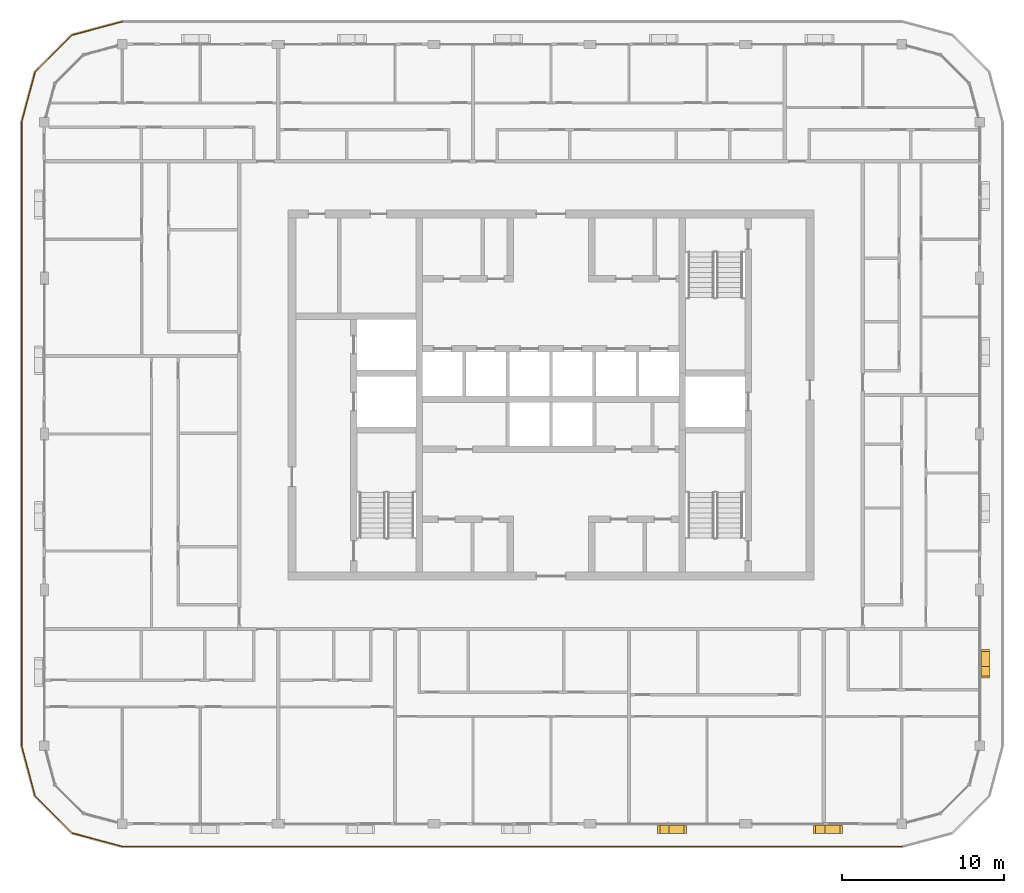
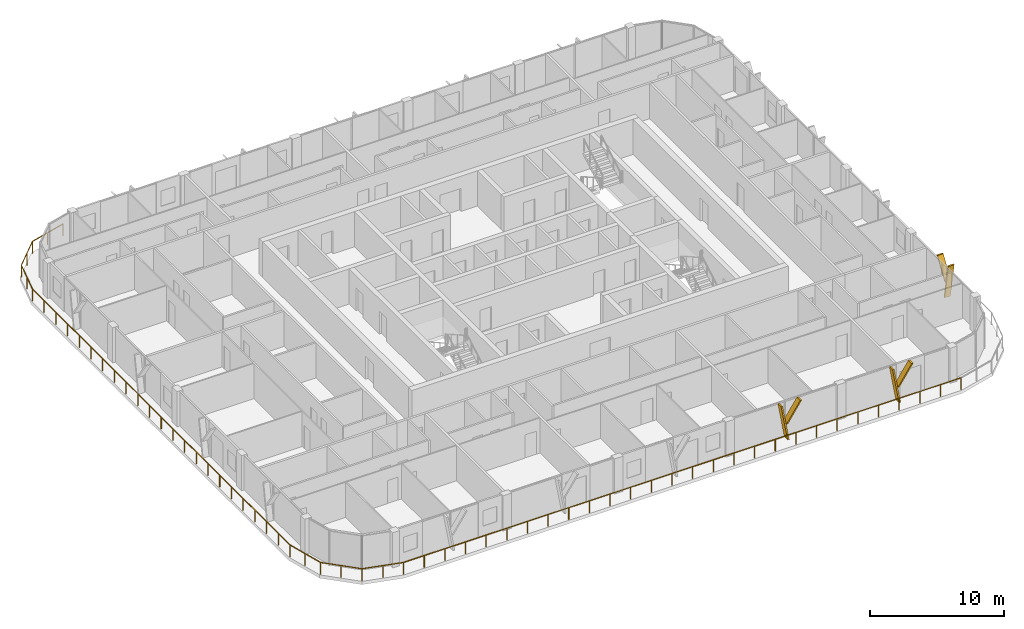
# One storey, part 19 of 22: 6 shading devices, 1 railing.
"""IFC4 building model written with IfcOpenShell, lengths in metres."""

import ifcopenshell
import ifcopenshell.guid

model = None  # the IFC model being written
_history = None  # IfcOwnerHistory: only IFC2X3 demands one
_inside = {}  # id of a spatial element -> (the spatial element, [elements in it])
_under = {}  # id of a project, library or spatial element -> (it, [spatial elements below it])
_declared = {}  # id of a project -> (the project, [libraries it declares])
_typed = {}  # id of a type object -> (the type object, [elements of that type])
_made_of = {}  # id of a material, layer set ... -> (it, [elements and type objects made of it])


def new_model(schema):
    """Start an empty IFC model of exactly this schema.

    Asked for "IFC4X3", IfcOpenShell would pick the latest addendum, in which some entities
    have other attributes; the version numbers below select the first issue.
    IFC2X3 requires an IfcOwnerHistory on every rooted entity: one is made here for all.
    """
    global model, _history
    if schema == "IFC4X3":
        model = ifcopenshell.file(schema_version=(4, 3, 0, 0))
    else:
        model = ifcopenshell.file(schema=schema)
    _inside.clear()
    _under.clear()
    _declared.clear()
    _typed.clear()
    _made_of.clear()
    _history = None
    if model.schema == "IFC2X3":
        org = make("IfcOrganization", Name="unknown")
        user = make(
            "IfcPersonAndOrganization",
            ThePerson=make("IfcPerson", FamilyName="unknown"),
            TheOrganization=org,
        )
        app = make(
            "IfcApplication",
            ApplicationDeveloper=org,
            Version="unknown",
            ApplicationFullName="unknown",
            ApplicationIdentifier="unknown",
        )
        _history = make(
            "IfcOwnerHistory",
            OwningUser=user,
            OwningApplication=app,
            ChangeAction="ADDED",
            CreationDate=0,
        )
    return model


def make(cls, **values):
    """One entity of the class cls with the attributes given. An attribute that is None is left unset."""
    return model.create_entity(
        cls, **{name: value for name, value in values.items() if value is not None}
    )


def rooted(cls, **values):
    """An entity with a GlobalId (a new one), such as an element, a storey or a relation."""
    return make(cls, GlobalId=ifcopenshell.guid.new(), OwnerHistory=_history, **values)


def si_unit(unit_type, name, prefix=None):
    """IfcSIUnit, for example si_unit("LENGTHUNIT", "METRE", prefix="MILLI")."""
    return make("IfcSIUnit", UnitType=unit_type, Prefix=prefix, Name=name)


def assignment(units):
    """IfcUnitAssignment: the units of a project."""
    return None if units is None else make("IfcUnitAssignment", Units=units)


def point(xyz):
    """IfcCartesianPoint."""
    return None if xyz is None else make("IfcCartesianPoint", Coordinates=xyz)


def direction(xyz):
    """IfcDirection."""
    return None if xyz is None else make("IfcDirection", DirectionRatios=xyz)


def frame(location, z_axis=None, x_axis=None):
    """IfcAxis2Placement3D, a coordinate frame: its origin and axes. An axis left out is left unset."""
    return make(
        "IfcAxis2Placement3D",
        Location=point(location),
        Axis=direction(z_axis),
        RefDirection=direction(x_axis),
    )


def frame_2d(location, x_axis=None):
    """IfcAxis2Placement2D, a coordinate frame in the plane: its origin and x axis."""
    return make(
        "IfcAxis2Placement2D", Location=point(location), RefDirection=direction(x_axis)
    )


def origin():
    """The frame at (0, 0, 0) with its axes left unset."""
    return frame((0.0, 0.0, 0.0))


def origin_2d():
    """The frame at (0, 0) in the plane with its x axis left unset."""
    return frame_2d((0.0, 0.0))


def place(relative_to, where):
    """IfcLocalPlacement: puts the frame where relative to a parent placement (None: the world)."""
    return make(
        "IfcLocalPlacement", PlacementRelTo=relative_to, RelativePlacement=where
    )


def context(
    kind, dimensions, precision=None, world=None, true_north=None, identifier=None
):
    """IfcGeometricRepresentationContext, for example the 3D "Model" context."""
    return make(
        "IfcGeometricRepresentationContext",
        ContextIdentifier=identifier,
        ContextType=kind,
        CoordinateSpaceDimension=dimensions,
        Precision=precision,
        WorldCoordinateSystem=world,
        TrueNorth=true_north,
    )


def subcontext(parent, identifier, kind, view, scale=None):
    """IfcGeometricRepresentationSubContext, for example "Body" below "Model"."""
    return make(
        "IfcGeometricRepresentationSubContext",
        ContextIdentifier=identifier,
        ContextType=kind,
        ParentContext=parent,
        TargetScale=scale,
        TargetView=view,
    )


def project(units=None, contexts=None):
    """IfcProject with its units and contexts."""
    return rooted(
        "IfcProject",
        Name="project",
        RepresentationContexts=contexts,
        UnitsInContext=assignment(units),
    )


def spatial(cls, under=None, at=None, **own):
    """A site, building, storey or space (cls), placed at a placement, below another one or the project."""
    s = rooted(cls, ObjectPlacement=at, **own)
    if under is not None:
        _under.setdefault(under.id(), (under, []))[1].append(s)
    return s


def polyline(points):
    """IfcPolyline through the points."""
    return make("IfcPolyline", Points=[point(p) for p in points])


def profile(cls, at=None, kind="AREA", **sizes):
    """A parametric profile (cls). Its sizes go by their IFC names, for example OverallWidth=200.0."""
    return make(cls, ProfileType=kind, Position=at, **sizes)


def circle(**sizes):
    """IfcCircleProfileDef."""
    return profile("IfcCircleProfileDef", **sizes)


def outline(outer, holes=None, kind="AREA"):
    """IfcArbitraryClosedProfileDef: a profile drawn as a closed curve; with holes, ...WithVoids."""
    if holes is None:
        return make("IfcArbitraryClosedProfileDef", ProfileType=kind, OuterCurve=outer)
    return make(
        "IfcArbitraryProfileDefWithVoids",
        ProfileType=kind,
        OuterCurve=outer,
        InnerCurves=holes,
    )


def extrude(swept, where, along, depth):
    """IfcExtrudedAreaSolid: the profile swept, set in the frame where, extruded along a direction by depth."""
    return make(
        "IfcExtrudedAreaSolid",
        SweptArea=swept,
        Position=where,
        ExtrudedDirection=direction(along),
        Depth=depth,
    )


def shape(context_of_items, identifier, shape_type, items):
    """IfcShapeRepresentation: the items that make up one representation, for example the "Body"."""
    return make(
        "IfcShapeRepresentation",
        ContextOfItems=context_of_items,
        RepresentationIdentifier=identifier,
        RepresentationType=shape_type,
        Items=items,
    )


def material(Name=None, Category=None):
    """IfcMaterial."""
    return make("IfcMaterial", Name=Name, Category=Category)


def made_of(thing, what):
    """Note that an element or type object is made of a material, layer set ...; save() writes the relation."""
    if what is not None:
        _made_of.setdefault(what.id(), (what, []))[1].append(thing)
    return thing


def type_object(cls, material=None, **own):
    """A type object (cls), such as IfcWallType, which elements share."""
    return made_of(rooted(cls, **own), material)


def element(
    cls,
    number,
    at=None,
    inside=None,
    cuts=None,
    type_object=None,
    material=None,
    context=None,
    identifier="Body",
    shape_type=None,
    held_by="IfcProductDefinitionShape",
    body=None,
    shapes=None,
    **own,
):
    """One element of the class cls, such as IfcWall. Its Tag is "e" and its number.

    at: its placement. inside: the storey or other place that contains it. cuts: it is an
    opening in that element (IfcRelVoidsElement). A single representation is given by context,
    identifier, shape_type and body (its items); several are given by shapes. held_by: the class
    of the entity that holds the representations. save() writes the other relations.
    """
    e = rooted(cls, Tag="e%d" % number, ObjectPlacement=at, **own)
    if body is not None:
        shapes = [shape(context, identifier, shape_type, body)]
    if shapes is not None:
        e.Representation = make(held_by, Representations=shapes)
    if inside is not None:
        _inside.setdefault(inside.id(), (inside, []))[1].append(e)
    if cuts is not None:
        rooted(
            "IfcRelVoidsElement", RelatingBuildingElement=cuts, RelatedOpeningElement=e
        )
    if type_object is not None:
        _typed.setdefault(type_object.id(), (type_object, []))[1].append(e)
    return made_of(e, material)


def aggregate(whole, parts):
    """IfcRelAggregates: a whole, such as a stair, and the parts it consists of."""
    return rooted("IfcRelAggregates", RelatingObject=whole, RelatedObjects=parts)


def save(model, path):
    """Write the relations noted so far, then the file.

    IfcRelAggregates (storeys below a building ...), IfcRelContainedInSpatialStructure (elements
    in a storey), IfcRelDefinesByType, IfcRelAssociatesMaterial and IfcRelDeclares: one each for
    every whole, place, type object, material and project.
    """
    for whole, parts in _under.values():
        aggregate(whole, parts)
    for where, things in _inside.values():
        rooted(
            "IfcRelContainedInSpatialStructure",
            RelatedElements=things,
            RelatingStructure=where,
        )
    for kind, things in _typed.values():
        rooted("IfcRelDefinesByType", RelatedObjects=things, RelatingType=kind)
    for what, things in _made_of.values():
        rooted("IfcRelAssociatesMaterial", RelatedObjects=things, RelatingMaterial=what)
    for by, libraries in _declared.values():
        rooted("IfcRelDeclares", RelatingContext=by, RelatedDefinitions=libraries)
    model.write(path)


model = new_model("IFC4")

# Units and contexts
model_context = context("Model", 3, precision=1e-05, world=origin(), true_north=direction((0.0, 1.0)))
body_context = subcontext(model_context, "Body", "Model", "MODEL_VIEW")
ifc_project = project(units=[si_unit("LENGTHUNIT", "METRE"), si_unit("AREAUNIT", "SQUARE_METRE"), si_unit("VOLUMEUNIT", "CUBIC_METRE"), si_unit("PLANEANGLEUNIT", "RADIAN"), si_unit("MASSUNIT", "GRAM", prefix="KILO")], contexts=[model_context])

# Site, building, storey
site_placement = place(None, origin())
site = spatial("IfcSite", under=ifc_project, at=site_placement, CompositionType="ELEMENT")
building_placement = place(site_placement, origin())
building = spatial("IfcBuilding", under=site, at=building_placement, Name="Madar Terraces", CompositionType="ELEMENT")
storey_placement = place(building_placement, frame((0.0, 0.0, 282.60009765625)))
storey = spatial("IfcBuildingStorey", under=building, at=storey_placement, Name="L74", CompositionType="ELEMENT", Elevation=282.60009765625)

# Railing
ifc_material_1 = material(Name="Glass, safety glazing, with stainless steel posts", Category="steel")
railing_type = type_object("IfcRailingType", Name="Balcony glass guard 1100", PredefinedType="GUARDRAIL", material=ifc_material_1)
railing_placement = place(storey_placement, frame((4.800048828125, 49.39990234375, 0.0)))
element("IfcRailing", 1, at=railing_placement, inside=storey, type_object=railing_type, Name="Balcony guard", PredefinedType="GUARDRAIL", context=body_context, shape_type="SweptSolid", body=[
    extrude(circle(Radius=0.02392578125, at=origin_2d()), frame((0.0, 0.0, 1.076171875), z_axis=(-0.9659337912, -0.258789317819, 0.0), x_axis=(0.258789317819, -0.9659337912, 0.0)), (0.0, 0.0, 1.0), 3.20947265625),
    extrude(circle(Radius=0.02392578125, at=origin_2d()), frame((-3.10009765625, -0.83056640625, 1.076171875), z_axis=(-0.707106781187, -0.707106781187, 0.0), x_axis=(0.707106781187, -0.707106781187, 0.0)), (0.0, 0.0, 1.0), 3.209228515625),
    extrude(circle(Radius=0.02392578125, at=origin_2d()), frame((-5.369384765625, -3.099853515625, 1.076171875), z_axis=(-0.258789317819, -0.9659337912, 0.0), x_axis=(0.9659337912, -0.258789317819, 0.0)), (0.0, 0.0, 1.0), 3.20947265625),
    extrude(circle(Radius=0.02392578125, at=origin_2d()), frame((-6.199951171875, -6.199951171875, 1.076171875), z_axis=(0.0, -1.0, 0.0), x_axis=(1.0, 0.0, 0.0)), (0.0, 0.0, 1.0), 38.39990234375),
    extrude(circle(Radius=0.02392578125, at=origin_2d()), frame((-6.199951171875, -44.599853515625, 1.076171875), z_axis=(0.258789317819, -0.9659337912, 0.0), x_axis=(0.9659337912, 0.258789317819, 0.0)), (0.0, 0.0, 1.0), 3.20947265625),
    extrude(circle(Radius=0.02392578125, at=origin_2d()), frame((-5.369384765625, -47.699951171875, 1.076171875), z_axis=(0.707106781187, -0.707106781187, 0.0), x_axis=(0.707106781187, 0.707106781187, 0.0)), (0.0, 0.0, 1.0), 3.209228515625),
    extrude(circle(Radius=0.02392578125, at=origin_2d()), frame((-3.10009765625, -49.96923828125, 1.076171875), z_axis=(0.9659337912, -0.258789317819, 0.0), x_axis=(0.258789317819, 0.9659337912, 0.0)), (0.0, 0.0, 1.0), 3.20947265625),
    extrude(circle(Radius=0.02392578125, at=origin_2d()), frame((0.0, -50.7998046875, 1.076171875), z_axis=(1.0, 0.0, 0.0), x_axis=(0.0, 1.0, 0.0)), (0.0, 0.0, 1.0), 48.0),
    extrude(circle(Radius=0.02099609375, at=origin_2d()), origin(), (0.0, 0.0, 1.0), 1.052001953125),
    extrude(circle(Radius=0.02099609375, at=origin_2d()), frame((-1.550048828125, -0.415283203125, 0.0)), (0.0, 0.0, 1.0), 1.052001953125),
    extrude(circle(Radius=0.02099609375, at=origin_2d()), frame((-3.10009765625, -0.83056640625, 0.0)), (0.0, 0.0, 1.0), 1.052001953125),
    extrude(circle(Radius=0.02099609375, at=origin_2d()), frame((-4.23486328125, -1.96533203125, 0.0)), (0.0, 0.0, 1.0), 1.052001953125),
    extrude(circle(Radius=0.02099609375, at=origin_2d()), frame((-5.369384765625, -3.099853515625, 0.0)), (0.0, 0.0, 1.0), 1.052001953125),
    extrude(circle(Radius=0.02099609375, at=origin_2d()), frame((-5.78466796875, -4.64990234375, 0.0)), (0.0, 0.0, 1.0), 1.052001953125),
    extrude(circle(Radius=0.02099609375, at=origin_2d()), frame((-6.199951171875, -6.199951171875, 0.0)), (0.0, 0.0, 1.0), 1.052001953125),
    extrude(circle(Radius=0.02099609375, at=origin_2d()), frame((-6.199951171875, -7.9453125, 0.0)), (0.0, 0.0, 1.0), 1.052001953125),
    extrude(circle(Radius=0.02099609375, at=origin_2d()), frame((-6.199951171875, -9.69091796875, 0.0)), (0.0, 0.0, 1.0), 1.052001953125),
    extrude(circle(Radius=0.02099609375, at=origin_2d()), frame((-6.199951171875, -11.436279296875, 0.0)), (0.0, 0.0, 1.0), 1.052001953125),
    extrude(circle(Radius=0.02099609375, at=origin_2d()), frame((-6.199951171875, -13.181640625, 0.0)), (0.0, 0.0, 1.0), 1.052001953125),
    extrude(circle(Radius=0.02099609375, at=origin_2d()), frame((-6.199951171875, -14.92724609375, 0.0)), (0.0, 0.0, 1.0), 1.052001953125),
    extrude(circle(Radius=0.02099609375, at=origin_2d()), frame((-6.199951171875, -16.672607421875, 0.0)), (0.0, 0.0, 1.0), 1.052001953125),
    extrude(circle(Radius=0.02099609375, at=origin_2d()), frame((-6.199951171875, -18.418212890625, 0.0)), (0.0, 0.0, 1.0), 1.052001953125),
    extrude(circle(Radius=0.02099609375, at=origin_2d()), frame((-6.199951171875, -20.16357421875, 0.0)), (0.0, 0.0, 1.0), 1.052001953125),
    extrude(circle(Radius=0.02099609375, at=origin_2d()), frame((-6.199951171875, -21.908935546875, 0.0)), (0.0, 0.0, 1.0), 1.052001953125),
    extrude(circle(Radius=0.02099609375, at=origin_2d()), frame((-6.199951171875, -23.654541015625, 0.0)), (0.0, 0.0, 1.0), 1.052001953125),
    extrude(circle(Radius=0.02099609375, at=origin_2d()), frame((-6.199951171875, -25.39990234375, 0.0)), (0.0, 0.0, 1.0), 1.052001953125),
    extrude(circle(Radius=0.02099609375, at=origin_2d()), frame((-6.199951171875, -27.145263671875, 0.0)), (0.0, 0.0, 1.0), 1.052001953125),
    extrude(circle(Radius=0.02099609375, at=origin_2d()), frame((-6.199951171875, -28.890869140625, 0.0)), (0.0, 0.0, 1.0), 1.052001953125),
    extrude(circle(Radius=0.02099609375, at=origin_2d()), frame((-6.199951171875, -30.63623046875, 0.0)), (0.0, 0.0, 1.0), 1.052001953125),
    extrude(circle(Radius=0.02099609375, at=origin_2d()), frame((-6.199951171875, -32.381591796875, 0.0)), (0.0, 0.0, 1.0), 1.052001953125),
    extrude(circle(Radius=0.02099609375, at=origin_2d()), frame((-6.199951171875, -34.127197265625, 0.0)), (0.0, 0.0, 1.0), 1.052001953125),
    extrude(circle(Radius=0.02099609375, at=origin_2d()), frame((-6.199951171875, -35.87255859375, 0.0)), (0.0, 0.0, 1.0), 1.052001953125),
    extrude(circle(Radius=0.02099609375, at=origin_2d()), frame((-6.199951171875, -37.6181640625, 0.0)), (0.0, 0.0, 1.0), 1.052001953125),
    extrude(circle(Radius=0.02099609375, at=origin_2d()), frame((-6.199951171875, -39.363525390625, 0.0)), (0.0, 0.0, 1.0), 1.052001953125),
    extrude(circle(Radius=0.02099609375, at=origin_2d()), frame((-6.199951171875, -41.10888671875, 0.0)), (0.0, 0.0, 1.0), 1.052001953125),
    extrude(circle(Radius=0.02099609375, at=origin_2d()), frame((-6.199951171875, -42.8544921875, 0.0)), (0.0, 0.0, 1.0), 1.052001953125),
    extrude(circle(Radius=0.02099609375, at=origin_2d()), frame((-6.199951171875, -44.599853515625, 0.0)), (0.0, 0.0, 1.0), 1.052001953125),
    extrude(circle(Radius=0.02099609375, at=origin_2d()), frame((-5.78466796875, -46.14990234375, 0.0)), (0.0, 0.0, 1.0), 1.052001953125),
    extrude(circle(Radius=0.02099609375, at=origin_2d()), frame((-5.369384765625, -47.699951171875, 0.0)), (0.0, 0.0, 1.0), 1.052001953125),
    extrude(circle(Radius=0.02099609375, at=origin_2d()), frame((-4.23486328125, -48.83447265625, 0.0)), (0.0, 0.0, 1.0), 1.052001953125),
    extrude(circle(Radius=0.02099609375, at=origin_2d()), frame((-3.10009765625, -49.96923828125, 0.0)), (0.0, 0.0, 1.0), 1.052001953125),
    extrude(circle(Radius=0.02099609375, at=origin_2d()), frame((-1.550048828125, -50.384521484375, 0.0)), (0.0, 0.0, 1.0), 1.052001953125),
    extrude(circle(Radius=0.02099609375, at=origin_2d()), frame((0.0, -50.7998046875, 0.0)), (0.0, 0.0, 1.0), 1.052001953125),
    extrude(circle(Radius=0.02099609375, at=origin_2d()), frame((1.77783203125, -50.7998046875, 0.0)), (0.0, 0.0, 1.0), 1.052001953125),
    extrude(circle(Radius=0.02099609375, at=origin_2d()), frame((3.5556640625, -50.7998046875, 0.0)), (0.0, 0.0, 1.0), 1.052001953125),
    extrude(circle(Radius=0.02099609375, at=origin_2d()), frame((5.333251953125, -50.7998046875, 0.0)), (0.0, 0.0, 1.0), 1.052001953125),
    extrude(circle(Radius=0.02099609375, at=origin_2d()), frame((7.111083984375, -50.7998046875, 0.0)), (0.0, 0.0, 1.0), 1.052001953125),
    extrude(circle(Radius=0.02099609375, at=origin_2d()), frame((8.888916015625, -50.7998046875, 0.0)), (0.0, 0.0, 1.0), 1.052001953125),
    extrude(circle(Radius=0.02099609375, at=origin_2d()), frame((10.666748046875, -50.7998046875, 0.0)), (0.0, 0.0, 1.0), 1.052001953125),
    extrude(circle(Radius=0.02099609375, at=origin_2d()), frame((12.4443359375, -50.7998046875, 0.0)), (0.0, 0.0, 1.0), 1.052001953125),
    extrude(circle(Radius=0.02099609375, at=origin_2d()), frame((14.22216796875, -50.7998046875, 0.0)), (0.0, 0.0, 1.0), 1.052001953125),
    extrude(circle(Radius=0.02099609375, at=origin_2d()), frame((16.0, -50.7998046875, 0.0)), (0.0, 0.0, 1.0), 1.052001953125),
    extrude(circle(Radius=0.02099609375, at=origin_2d()), frame((17.77783203125, -50.7998046875, 0.0)), (0.0, 0.0, 1.0), 1.052001953125),
    extrude(circle(Radius=0.02099609375, at=origin_2d()), frame((19.5556640625, -50.7998046875, 0.0)), (0.0, 0.0, 1.0), 1.052001953125),
    extrude(circle(Radius=0.02099609375, at=origin_2d()), frame((21.333251953125, -50.7998046875, 0.0)), (0.0, 0.0, 1.0), 1.052001953125),
    extrude(circle(Radius=0.02099609375, at=origin_2d()), frame((23.111083984375, -50.7998046875, 0.0)), (0.0, 0.0, 1.0), 1.052001953125),
    extrude(circle(Radius=0.02099609375, at=origin_2d()), frame((24.888916015625, -50.7998046875, 0.0)), (0.0, 0.0, 1.0), 1.052001953125),
    extrude(circle(Radius=0.02099609375, at=origin_2d()), frame((26.666748046875, -50.7998046875, 0.0)), (0.0, 0.0, 1.0), 1.052001953125),
    extrude(circle(Radius=0.02099609375, at=origin_2d()), frame((28.4443359375, -50.7998046875, 0.0)), (0.0, 0.0, 1.0), 1.052001953125),
    extrude(circle(Radius=0.02099609375, at=origin_2d()), frame((30.22216796875, -50.7998046875, 0.0)), (0.0, 0.0, 1.0), 1.052001953125),
    extrude(circle(Radius=0.02099609375, at=origin_2d()), frame((32.0, -50.7998046875, 0.0)), (0.0, 0.0, 1.0), 1.052001953125),
    extrude(circle(Radius=0.02099609375, at=origin_2d()), frame((33.77783203125, -50.7998046875, 0.0)), (0.0, 0.0, 1.0), 1.052001953125),
    extrude(circle(Radius=0.02099609375, at=origin_2d()), frame((35.5556640625, -50.7998046875, 0.0)), (0.0, 0.0, 1.0), 1.052001953125),
    extrude(circle(Radius=0.02099609375, at=origin_2d()), frame((37.333251953125, -50.7998046875, 0.0)), (0.0, 0.0, 1.0), 1.052001953125),
    extrude(circle(Radius=0.02099609375, at=origin_2d()), frame((39.111083984375, -50.7998046875, 0.0)), (0.0, 0.0, 1.0), 1.052001953125),
    extrude(circle(Radius=0.02099609375, at=origin_2d()), frame((40.888916015625, -50.7998046875, 0.0)), (0.0, 0.0, 1.0), 1.052001953125),
    extrude(circle(Radius=0.02099609375, at=origin_2d()), frame((42.666748046875, -50.7998046875, 0.0)), (0.0, 0.0, 1.0), 1.052001953125),
    extrude(circle(Radius=0.02099609375, at=origin_2d()), frame((44.4443359375, -50.7998046875, 0.0)), (0.0, 0.0, 1.0), 1.052001953125),
    extrude(circle(Radius=0.02099609375, at=origin_2d()), frame((46.22216796875, -50.7998046875, 0.0)), (0.0, 0.0, 1.0), 1.052001953125),
    extrude(circle(Radius=0.02099609375, at=origin_2d()), frame((48.0, -50.7998046875, 0.0)), (0.0, 0.0, 1.0), 1.052001953125),
])

# Shading devices
ifc_material_2 = material(Name="Aluminium, black anodised", Category="aluminium")
shading_device_type = type_object("IfcShadingDeviceType", Name="Facade fin blade 140 x 500", PredefinedType="USERDEFINED", material=ifc_material_2)
shading_device_1_placement = place(storey_placement, frame((38.330078125, -0.35009765625, 0.0), z_axis=(0.0, 0.0, 1.0), x_axis=(1.0, 0.0, 0.0)))
element("IfcShadingDevice", 2, at=shading_device_1_placement, inside=storey, type_object=shading_device_type, Name="FIN L74 S4", ObjectType="FIN", PredefinedType="USERDEFINED", context=body_context, shape_type="SweptSolid", body=[
    extrude(outline(polyline([(0.0, 0.0), (0.139892578125, 0.0), (-0.42431640625, 3.199951171875), (-0.564208984375, 3.199951171875), (0.0, 0.0)])), frame((0.0, 0.25, 0.0), z_axis=(0.0, -1.0, 0.0), x_axis=(1.0, 0.0, 0.0)), (0.0, 0.0, 1.0), 0.5),
])
shading_device_2_placement = place(storey_placement, frame((38.216064453125, -0.35009765625, 1.43994140625), z_axis=(0.0, 0.0, 1.0), x_axis=(1.0, 0.0, 0.0)))
element("IfcShadingDevice", 3, at=shading_device_2_placement, inside=storey, type_object=shading_device_type, Name="FIN L74 S4 branch", ObjectType="FIN", PredefinedType="USERDEFINED", context=body_context, shape_type="SweptSolid", body=[
    extrude(outline(polyline([(0.0, 0.0), (0.14013671875, 0.0), (1.32958984375, 1.760009765625), (1.189697265625, 1.760009765625), (0.0, 0.0)])), frame((0.0, 0.25, 0.0), z_axis=(0.0, -1.0, 0.0), x_axis=(1.0, 0.0, 0.0)), (0.0, 0.0, 1.0), 0.5),
])
shading_device_3_placement = place(storey_placement, frame((47.929931640625, -0.35009765625, 0.0), z_axis=(0.0, 0.0, 1.0), x_axis=(1.0, 0.0, 0.0)))
element("IfcShadingDevice", 4, at=shading_device_3_placement, inside=storey, type_object=shading_device_type, Name="FIN L74 S5", ObjectType="FIN", PredefinedType="USERDEFINED", context=body_context, shape_type="SweptSolid", body=[
    extrude(outline(polyline([(0.0, 0.0), (0.14013671875, 0.0), (-0.42431640625, 3.199951171875), (-0.564208984375, 3.199951171875), (0.0, 0.0)])), frame((0.0, 0.25, 0.0), z_axis=(0.0, -1.0, 0.0), x_axis=(1.0, 0.0, 0.0)), (0.0, 0.0, 1.0), 0.5),
])
shading_device_4_placement = place(storey_placement, frame((47.816162109375, -0.35009765625, 1.43994140625), z_axis=(0.0, 0.0, 1.0), x_axis=(1.0, 0.0, 0.0)))
element("IfcShadingDevice", 5, at=shading_device_4_placement, inside=storey, type_object=shading_device_type, Name="FIN L74 S5 branch", ObjectType="FIN", PredefinedType="USERDEFINED", context=body_context, shape_type="SweptSolid", body=[
    extrude(outline(polyline([(0.0, 0.0), (0.139892578125, 0.0), (1.32958984375, 1.760009765625), (1.189697265625, 1.760009765625), (0.0, 0.0)])), frame((0.0, 0.25, 0.0), z_axis=(0.0, -1.0, 0.0), x_axis=(1.0, 0.0, 0.0)), (0.0, 0.0, 1.0), 0.5),
])
shading_device_5_placement = place(storey_placement, frame((57.949951171875, 9.530029296875, 0.0), z_axis=(0.0, 0.0, 1.0), x_axis=(0.0, 1.0, 0.0)))
element("IfcShadingDevice", 6, at=shading_device_5_placement, inside=storey, type_object=shading_device_type, Name="FIN L74 E1", ObjectType="FIN", PredefinedType="USERDEFINED", context=body_context, shape_type="SweptSolid", body=[
    extrude(outline(polyline([(0.0, 0.0), (0.139892578125, 0.0), (-0.42431640625, 3.199951171875), (-0.564208984375, 3.199951171875), (0.0, 0.0)])), frame((0.0, 0.25, 0.0), z_axis=(0.0, -1.0, 0.0), x_axis=(1.0, 0.0, 0.0)), (0.0, 0.0, 1.0), 0.5),
])
shading_device_6_placement = place(storey_placement, frame((57.949951171875, 9.416015625, 1.43994140625), z_axis=(0.0, 0.0, 1.0), x_axis=(0.0, 1.0, 0.0)))
element("IfcShadingDevice", 7, at=shading_device_6_placement, inside=storey, type_object=shading_device_type, Name="FIN L74 E1 branch", ObjectType="FIN", PredefinedType="USERDEFINED", context=body_context, shape_type="SweptSolid", body=[
    extrude(outline(polyline([(0.0, 0.0), (0.14013671875, 0.0), (1.32958984375, 1.760009765625), (1.189697265625, 1.760009765625), (0.0, 0.0)])), frame((0.0, 0.25, 0.0), z_axis=(0.0, -1.0, 0.0), x_axis=(1.0, 0.0, 0.0)), (0.0, 0.0, 1.0), 0.5),
])

save(model, "model.ifc")
